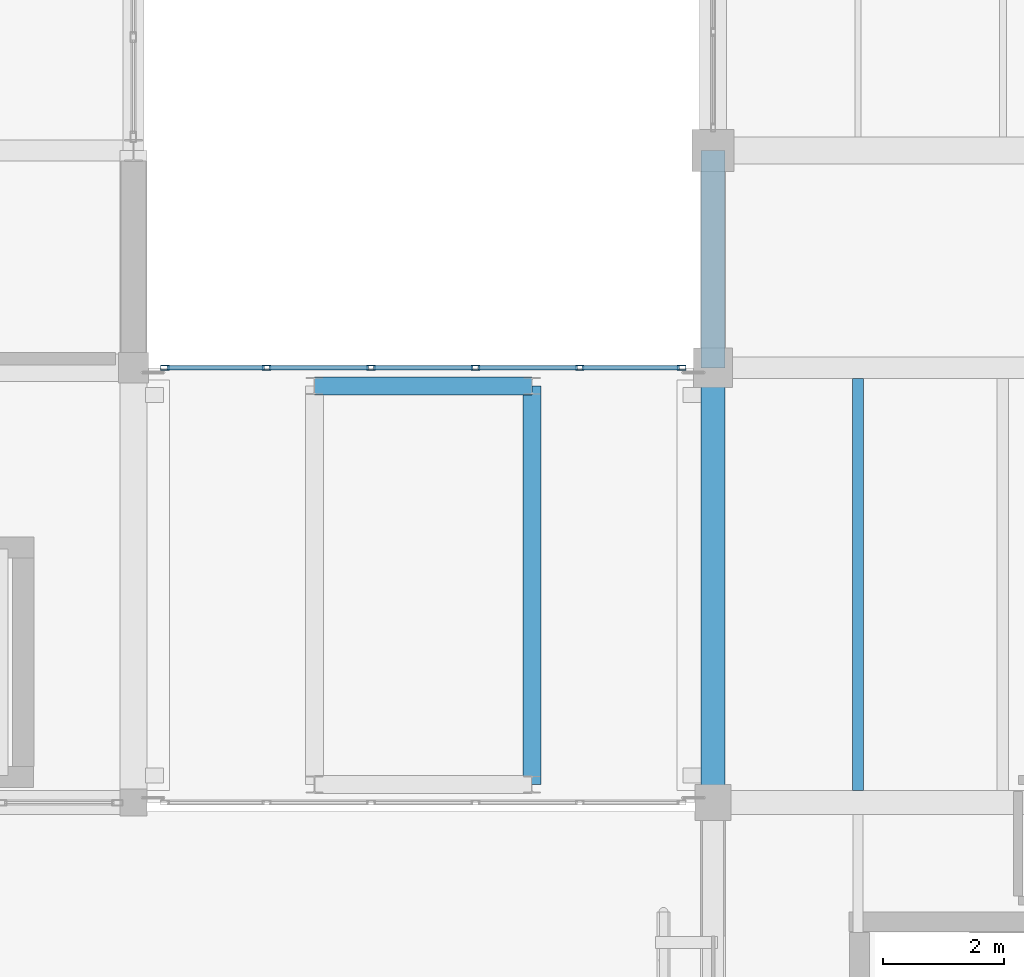
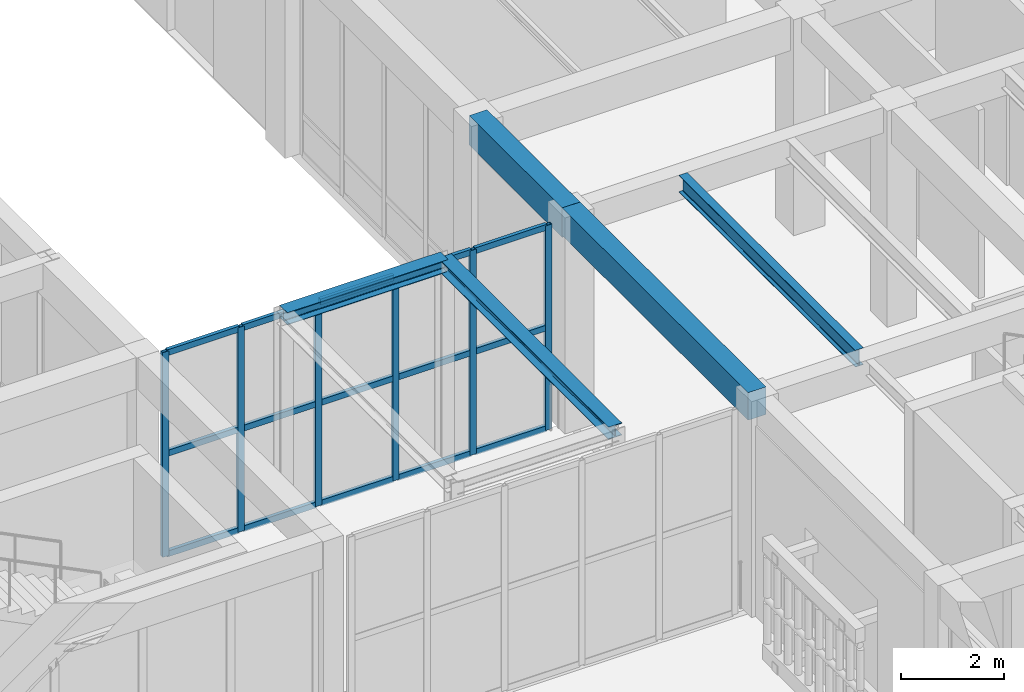
# One storey, part 78 of 169: 21 members, 5 beams, 1 element without a shape of its own.
"""IFC4 building model written with IfcOpenShell, lengths in metres."""

from ifc_helpers import new_model, si_unit, direction, frame, origin, origin_2d, place, context, subcontext, project, spatial, rectangle, hollow_rectangle, i_section, extrude, material, layer, layer_set, material_profile, profile_set, type_object, element, aggregate, save


model = new_model("IFC4")

# Units and contexts
model_context = context("Model", 3, precision=1e-05, world=origin(), true_north=direction((0.0, 1.0)))
body_context = subcontext(model_context, "Body", "Model", "MODEL_VIEW")
ifc_project = project(units=[si_unit("LENGTHUNIT", "METRE"), si_unit("AREAUNIT", "SQUARE_METRE"), si_unit("VOLUMEUNIT", "CUBIC_METRE"), si_unit("PLANEANGLEUNIT", "RADIAN"), si_unit("MASSUNIT", "GRAM", prefix="KILO")], contexts=[model_context])

# Site, building, storey
site_placement = place(None, origin())
site = spatial("IfcSite", under=ifc_project, at=site_placement, CompositionType="ELEMENT")
building_placement = place(site_placement, origin())
building = spatial("IfcBuilding", under=site, at=building_placement, Name="Mazaris Harbour Polytechnic", CompositionType="ELEMENT")
storey_placement = place(building_placement, origin())
storey = spatial("IfcBuildingStorey", under=building, at=storey_placement, Name="L00", CompositionType="ELEMENT", Elevation=0.0)

# Curtain wall, members
ifc_material_1 = material(Name="Anodised Bronze Aluminium and Low-E Glass", Category="aluminium")
ifc_layer = layer(ifc_material_1, 0.139892578125, Name="Anodised Bronze Aluminium and Low-E Glass")
ifc_layer_set = layer_set([ifc_layer], Name="Anodised Bronze Aluminium and Low-E Glass")
curtain_wall_type = type_object("IfcCurtainWallType", Name="Seismic Link Bridge Glazing", PredefinedType="NOTDEFINED", material=ifc_layer_set)
curtain_wall_placement = place(storey_placement, origin())
curtain_wall = element("IfcCurtainWall", 1, at=curtain_wall_placement, inside=storey, type_object=curtain_wall_type, Name="PB-E2 L00 Bridge Glazing", PredefinedType="NOTDEFINED")
ifc_material_2 = material(Name="Anodised Bronze Steel S355", Category="steel")
ifc_material_profile_1 = material_profile(ifc_material_2, hollow_rectangle(XDim=0.080078125, YDim=0.139892578125, WallThickness=0.00634765625, at=origin_2d()), Name="RHS 80x140x6.3")
ifc_profile_set_1 = profile_set([ifc_material_profile_1], Name="Anodised Bronze Steel S355")
member_type_1 = type_object("IfcMemberType", Name="Curtain Mullion RHS80x140", PredefinedType="MULLION", material=ifc_profile_set_1)
member_1_placement = place(storey_placement, frame((121.8798828125, 82.800048828125, 0.0), z_axis=(0.0, 0.0, 1.0), x_axis=(0.0, -1.0, 0.0)))
member_1 = element("IfcMember", 2, at=member_1_placement, type_object=member_type_1, Name="CW-05 mullion 1", PredefinedType="MULLION", context=body_context, shape_type="SweptSolid", body=[
    extrude(hollow_rectangle(XDim=0.080078125, YDim=0.139892578125, WallThickness=0.00634765625, at=origin_2d()), origin(), (0.0, 0.0, 1.0), 4.8349609375),
])
member_2_placement = place(storey_placement, frame((120.19189453125, 82.800048828125, 0.0), z_axis=(0.0, 0.0, 1.0), x_axis=(0.0, -1.0, 0.0)))
member_2 = element("IfcMember", 3, at=member_2_placement, type_object=member_type_1, Name="CW-05 mullion 2", PredefinedType="MULLION", context=body_context, shape_type="SweptSolid", body=[
    extrude(hollow_rectangle(XDim=0.080078125, YDim=0.139892578125, WallThickness=0.00634765625, at=origin_2d()), origin(), (0.0, 0.0, 1.0), 4.8349609375),
])
member_3_placement = place(storey_placement, frame((118.464111328125, 82.800048828125, 0.0), z_axis=(0.0, 0.0, 1.0), x_axis=(0.0, -1.0, 0.0)))
member_3 = element("IfcMember", 4, at=member_3_placement, type_object=member_type_1, Name="CW-05 mullion 3", PredefinedType="MULLION", context=body_context, shape_type="SweptSolid", body=[
    extrude(hollow_rectangle(XDim=0.080078125, YDim=0.139892578125, WallThickness=0.00634765625, at=origin_2d()), origin(), (0.0, 0.0, 1.0), 4.8349609375),
])
member_4_placement = place(storey_placement, frame((116.736083984375, 82.800048828125, 0.0), z_axis=(0.0, 0.0, 1.0), x_axis=(0.0, -1.0, 0.0)))
member_4 = element("IfcMember", 5, at=member_4_placement, type_object=member_type_1, Name="CW-05 mullion 4", PredefinedType="MULLION", context=body_context, shape_type="SweptSolid", body=[
    extrude(hollow_rectangle(XDim=0.080078125, YDim=0.139892578125, WallThickness=0.00634765625, at=origin_2d()), origin(), (0.0, 0.0, 1.0), 4.8349609375),
])
member_5_placement = place(storey_placement, frame((115.008056640625, 82.800048828125, 0.0), z_axis=(0.0, 0.0, 1.0), x_axis=(0.0, -1.0, 0.0)))
member_5 = element("IfcMember", 6, at=member_5_placement, type_object=member_type_1, Name="CW-05 mullion 5", PredefinedType="MULLION", context=body_context, shape_type="SweptSolid", body=[
    extrude(hollow_rectangle(XDim=0.080078125, YDim=0.139892578125, WallThickness=0.00634765625, at=origin_2d()), origin(), (0.0, 0.0, 1.0), 4.8349609375),
])
member_6_placement = place(storey_placement, frame((113.320068359375, 82.800048828125, 0.0), z_axis=(0.0, 0.0, 1.0), x_axis=(0.0, -1.0, 0.0)))
member_6 = element("IfcMember", 7, at=member_6_placement, type_object=member_type_1, Name="CW-05 mullion 6", PredefinedType="MULLION", context=body_context, shape_type="SweptSolid", body=[
    extrude(hollow_rectangle(XDim=0.080078125, YDim=0.139892578125, WallThickness=0.00634765625, at=origin_2d()), origin(), (0.0, 0.0, 1.0), 4.8349609375),
])
ifc_material_3 = material(Name="Anodised Bronze Steel S355", Category="steel")
ifc_material_profile_2 = material_profile(ifc_material_3, hollow_rectangle(XDim=0.080078125, YDim=0.139892578125, WallThickness=0.00634765625, at=origin_2d()), Name="RHS 80x140x6.3")
ifc_profile_set_2 = profile_set([ifc_material_profile_2], Name="Anodised Bronze Steel S355")
member_type_2 = type_object("IfcMemberType", Name="Curtain Transom RHS80x140", PredefinedType="USERDEFINED", material=ifc_profile_set_2)
member_7_placement = place(storey_placement, frame((121.840087890625, 82.800048828125, 0.0400390625), z_axis=(-1.0, 0.0, 0.0), x_axis=(0.0, -1.0, 0.0)))
member_7 = element("IfcMember", 8, at=member_7_placement, type_object=member_type_2, Name="CW-05 transom 1.1", ObjectType="TRANSOM", PredefinedType="USERDEFINED", context=body_context, shape_type="SweptSolid", body=[
    extrude(hollow_rectangle(XDim=0.080078125, YDim=0.139892578125, WallThickness=0.00634765625, at=origin_2d()), origin(), (0.0, 0.0, 1.0), 1.608154296875),
])
member_8_placement = place(storey_placement, frame((121.840087890625, 82.800048828125, 2.41748046875), z_axis=(-1.0, 0.0, 0.0), x_axis=(0.0, -1.0, 0.0)))
member_8 = element("IfcMember", 9, at=member_8_placement, type_object=member_type_2, Name="CW-05 transom 1.2", ObjectType="TRANSOM", PredefinedType="USERDEFINED", context=body_context, shape_type="SweptSolid", body=[
    extrude(hollow_rectangle(XDim=0.080078125, YDim=0.139892578125, WallThickness=0.00634765625, at=origin_2d()), origin(), (0.0, 0.0, 1.0), 1.608154296875),
])
member_9_placement = place(storey_placement, frame((121.840087890625, 82.800048828125, 4.794921875), z_axis=(-1.0, 0.0, 0.0), x_axis=(0.0, -1.0, 0.0)))
member_9 = element("IfcMember", 10, at=member_9_placement, type_object=member_type_2, Name="CW-05 transom 1.3", ObjectType="TRANSOM", PredefinedType="USERDEFINED", context=body_context, shape_type="SweptSolid", body=[
    extrude(hollow_rectangle(XDim=0.080078125, YDim=0.139892578125, WallThickness=0.00634765625, at=origin_2d()), origin(), (0.0, 0.0, 1.0), 1.608154296875),
])
member_10_placement = place(storey_placement, frame((120.152099609375, 82.800048828125, 0.0400390625), z_axis=(-1.0, 0.0, 0.0), x_axis=(0.0, -1.0, 0.0)))
member_10 = element("IfcMember", 11, at=member_10_placement, type_object=member_type_2, Name="CW-05 transom 2.1", ObjectType="TRANSOM", PredefinedType="USERDEFINED", context=body_context, shape_type="SweptSolid", body=[
    extrude(hollow_rectangle(XDim=0.080078125, YDim=0.139892578125, WallThickness=0.00634765625, at=origin_2d()), origin(), (0.0, 0.0, 1.0), 1.648193359375),
])
member_11_placement = place(storey_placement, frame((120.152099609375, 82.800048828125, 2.41748046875), z_axis=(-1.0, 0.0, 0.0), x_axis=(0.0, -1.0, 0.0)))
member_11 = element("IfcMember", 12, at=member_11_placement, type_object=member_type_2, Name="CW-05 transom 2.2", ObjectType="TRANSOM", PredefinedType="USERDEFINED", context=body_context, shape_type="SweptSolid", body=[
    extrude(hollow_rectangle(XDim=0.080078125, YDim=0.139892578125, WallThickness=0.00634765625, at=origin_2d()), origin(), (0.0, 0.0, 1.0), 1.648193359375),
])
member_12_placement = place(storey_placement, frame((120.152099609375, 82.800048828125, 4.794921875), z_axis=(-1.0, 0.0, 0.0), x_axis=(0.0, -1.0, 0.0)))
member_12 = element("IfcMember", 13, at=member_12_placement, type_object=member_type_2, Name="CW-05 transom 2.3", ObjectType="TRANSOM", PredefinedType="USERDEFINED", context=body_context, shape_type="SweptSolid", body=[
    extrude(hollow_rectangle(XDim=0.080078125, YDim=0.139892578125, WallThickness=0.00634765625, at=origin_2d()), origin(), (0.0, 0.0, 1.0), 1.648193359375),
])
member_13_placement = place(storey_placement, frame((118.424072265625, 82.800048828125, 0.0400390625), z_axis=(-1.0, 0.0, 0.0), x_axis=(0.0, -1.0, 0.0)))
member_13 = element("IfcMember", 14, at=member_13_placement, type_object=member_type_2, Name="CW-05 transom 3.1", ObjectType="TRANSOM", PredefinedType="USERDEFINED", context=body_context, shape_type="SweptSolid", body=[
    extrude(hollow_rectangle(XDim=0.080078125, YDim=0.139892578125, WallThickness=0.00634765625, at=origin_2d()), origin(), (0.0, 0.0, 1.0), 1.648193359375),
])
member_14_placement = place(storey_placement, frame((118.424072265625, 82.800048828125, 2.41748046875), z_axis=(-1.0, 0.0, 0.0), x_axis=(0.0, -1.0, 0.0)))
member_14 = element("IfcMember", 15, at=member_14_placement, type_object=member_type_2, Name="CW-05 transom 3.2", ObjectType="TRANSOM", PredefinedType="USERDEFINED", context=body_context, shape_type="SweptSolid", body=[
    extrude(hollow_rectangle(XDim=0.080078125, YDim=0.139892578125, WallThickness=0.00634765625, at=origin_2d()), origin(), (0.0, 0.0, 1.0), 1.648193359375),
])
member_15_placement = place(storey_placement, frame((118.424072265625, 82.800048828125, 4.794921875), z_axis=(-1.0, 0.0, 0.0), x_axis=(0.0, -1.0, 0.0)))
member_15 = element("IfcMember", 16, at=member_15_placement, type_object=member_type_2, Name="CW-05 transom 3.3", ObjectType="TRANSOM", PredefinedType="USERDEFINED", context=body_context, shape_type="SweptSolid", body=[
    extrude(hollow_rectangle(XDim=0.080078125, YDim=0.139892578125, WallThickness=0.00634765625, at=origin_2d()), origin(), (0.0, 0.0, 1.0), 1.648193359375),
])
member_16_placement = place(storey_placement, frame((116.696044921875, 82.800048828125, 0.0400390625), z_axis=(-1.0, 0.0, 0.0), x_axis=(0.0, -1.0, 0.0)))
member_16 = element("IfcMember", 17, at=member_16_placement, type_object=member_type_2, Name="CW-05 transom 4.1", ObjectType="TRANSOM", PredefinedType="USERDEFINED", context=body_context, shape_type="SweptSolid", body=[
    extrude(hollow_rectangle(XDim=0.080078125, YDim=0.139892578125, WallThickness=0.00634765625, at=origin_2d()), origin(), (0.0, 0.0, 1.0), 1.64794921875),
])
member_17_placement = place(storey_placement, frame((116.696044921875, 82.800048828125, 2.41748046875), z_axis=(-1.0, 0.0, 0.0), x_axis=(0.0, -1.0, 0.0)))
member_17 = element("IfcMember", 18, at=member_17_placement, type_object=member_type_2, Name="CW-05 transom 4.2", ObjectType="TRANSOM", PredefinedType="USERDEFINED", context=body_context, shape_type="SweptSolid", body=[
    extrude(hollow_rectangle(XDim=0.080078125, YDim=0.139892578125, WallThickness=0.00634765625, at=origin_2d()), origin(), (0.0, 0.0, 1.0), 1.64794921875),
])
member_18_placement = place(storey_placement, frame((116.696044921875, 82.800048828125, 4.794921875), z_axis=(-1.0, 0.0, 0.0), x_axis=(0.0, -1.0, 0.0)))
member_18 = element("IfcMember", 19, at=member_18_placement, type_object=member_type_2, Name="CW-05 transom 4.3", ObjectType="TRANSOM", PredefinedType="USERDEFINED", context=body_context, shape_type="SweptSolid", body=[
    extrude(hollow_rectangle(XDim=0.080078125, YDim=0.139892578125, WallThickness=0.00634765625, at=origin_2d()), origin(), (0.0, 0.0, 1.0), 1.64794921875),
])
member_19_placement = place(storey_placement, frame((114.968017578125, 82.800048828125, 0.0400390625), z_axis=(-1.0, 0.0, 0.0), x_axis=(0.0, -1.0, 0.0)))
member_19 = element("IfcMember", 20, at=member_19_placement, type_object=member_type_2, Name="CW-05 transom 5.1", ObjectType="TRANSOM", PredefinedType="USERDEFINED", context=body_context, shape_type="SweptSolid", body=[
    extrude(hollow_rectangle(XDim=0.080078125, YDim=0.139892578125, WallThickness=0.00634765625, at=origin_2d()), origin(), (0.0, 0.0, 1.0), 1.60791015625),
])
member_20_placement = place(storey_placement, frame((114.968017578125, 82.800048828125, 2.41748046875), z_axis=(-1.0, 0.0, 0.0), x_axis=(0.0, -1.0, 0.0)))
member_20 = element("IfcMember", 21, at=member_20_placement, type_object=member_type_2, Name="CW-05 transom 5.2", ObjectType="TRANSOM", PredefinedType="USERDEFINED", context=body_context, shape_type="SweptSolid", body=[
    extrude(hollow_rectangle(XDim=0.080078125, YDim=0.139892578125, WallThickness=0.00634765625, at=origin_2d()), origin(), (0.0, 0.0, 1.0), 1.60791015625),
])
member_21_placement = place(storey_placement, frame((114.968017578125, 82.800048828125, 4.794921875), z_axis=(-1.0, 0.0, 0.0), x_axis=(0.0, -1.0, 0.0)))
member_21 = element("IfcMember", 22, at=member_21_placement, type_object=member_type_2, Name="CW-05 transom 5.3", ObjectType="TRANSOM", PredefinedType="USERDEFINED", context=body_context, shape_type="SweptSolid", body=[
    extrude(hollow_rectangle(XDim=0.080078125, YDim=0.139892578125, WallThickness=0.00634765625, at=origin_2d()), origin(), (0.0, 0.0, 1.0), 1.60791015625),
])
aggregate(curtain_wall, [member_1, member_2, member_3, member_4, member_5, member_6, member_7, member_8, member_9, member_10, member_11, member_12, member_13, member_14, member_15, member_16, member_17, member_18, member_19, member_20, member_21])

# Beams
ifc_material_4 = material(Name="Concrete C35/45", Category="concrete")
ifc_material_profile_3 = material_profile(ifc_material_4, rectangle(XDim=0.39990234375, YDim=0.64990234375, at=origin_2d()), Name="RECT400x650")
ifc_profile_set_3 = profile_set([ifc_material_profile_3], Name="Concrete C35/45")
beam_type_1 = type_object("IfcBeamType", Name="RC Girder 400x650 Exterior", PredefinedType="BEAM", material=ifc_profile_set_3)
beam_1_placement = place(storey_placement, frame((122.39990234375, 75.60009765625, 4.77490234375), z_axis=(0.0, 1.0, 0.0), x_axis=(-1.0, 0.0, 0.0)))
element("IfcBeam", 23, at=beam_1_placement, inside=storey, type_object=beam_type_1, Name="V5 L00 Tie Girder 2761", PredefinedType="BEAM", context=body_context, shape_type="SweptSolid", body=[
    extrude(rectangle(XDim=0.39990234375, YDim=0.64990234375, at=origin_2d()), origin(), (0.0, 0.0, 1.0), 7.199951171875),
])
ifc_material_5 = material(Name="Concrete C35/45", Category="concrete")
ifc_material_profile_4 = material_profile(ifc_material_5, rectangle(XDim=0.39990234375, YDim=0.699951171875, at=origin_2d()), Name="RECT400x700")
ifc_profile_set_4 = profile_set([ifc_material_profile_4], Name="Concrete C35/45")
beam_type_2 = type_object("IfcBeamType", Name="RC Girder 400x700 Exterior", PredefinedType="BEAM", material=ifc_profile_set_4)
beam_2_placement = place(storey_placement, frame((122.39990234375, 82.800048828125, 4.75), z_axis=(0.0, 1.0, 0.0), x_axis=(-1.0, 0.0, 0.0)))
element("IfcBeam", 24, at=beam_2_placement, inside=storey, type_object=beam_type_2, Name="V5 L00 Tie Girder 2762", PredefinedType="BEAM", context=body_context, shape_type="SweptSolid", body=[
    extrude(rectangle(XDim=0.39990234375, YDim=0.699951171875, at=origin_2d()), origin(), (0.0, 0.0, 1.0), 3.599853515625),
])
ifc_material_6 = material(Name="Steel S355", Category="steel")
ifc_material_profile_5 = material_profile(ifc_material_6, i_section(OverallWidth=0.300048828125, OverallDepth=0.2900390625, WebThickness=0.008544921875, FlangeThickness=0.013916015625, FilletRadius=0.027099609375, at=origin_2d()), Name="HEA 300")
ifc_profile_set_5 = profile_set([ifc_material_profile_5], Name="Steel S355")
beam_type_3 = type_object("IfcBeamType", Name="Steel Beam HEA300 Exterior", PredefinedType="SPANDREL", material=ifc_profile_set_5)
beam_3_placement = place(storey_placement, frame((119.39990234375, 75.89990234375, 4.989990234375), z_axis=(0.0, 1.0, 0.0), x_axis=(-1.0, 0.0, 0.0)))
element("IfcBeam", 25, at=beam_3_placement, inside=storey, type_object=beam_type_3, Name="PB-E2 L00 Bridge Beam 3461", PredefinedType="SPANDREL", context=body_context, shape_type="SweptSolid", body=[
    extrude(i_section(OverallWidth=0.300048828125, OverallDepth=0.2900390625, WebThickness=0.008544921875, FlangeThickness=0.013916015625, FilletRadius=0.027099609375, at=origin_2d()), origin(), (0.0, 0.0, 1.0), 6.60009765625),
])
beam_4_placement = place(storey_placement, frame((115.800048828125, 82.5, 4.989990234375), z_axis=(1.0, 0.0, 0.0), x_axis=(0.0, 1.0, 0.0)))
element("IfcBeam", 26, at=beam_4_placement, inside=storey, type_object=beam_type_3, Name="PB-E2 L00 Bridge Beam 3462", PredefinedType="SPANDREL", context=body_context, shape_type="SweptSolid", body=[
    extrude(i_section(OverallWidth=0.300048828125, OverallDepth=0.2900390625, WebThickness=0.008544921875, FlangeThickness=0.013916015625, FilletRadius=0.027099609375, at=origin_2d()), origin(), (0.0, 0.0, 1.0), 3.599853515625),
])
ifc_material_7 = material(Name="Steel S355", Category="steel")
ifc_material_profile_6 = material_profile(ifc_material_7, i_section(OverallWidth=0.179931640625, OverallDepth=0.39990234375, WebThickness=0.008544921875, FlangeThickness=0.013427734375, FilletRadius=0.02099609375, at=origin_2d()), Name="IPE 400")
ifc_profile_set_6 = profile_set([ifc_material_profile_6], Name="Steel S355")
beam_type_4 = type_object("IfcBeamType", Name="Steel Joist IPE400", PredefinedType="JOIST", material=ifc_profile_set_6)
beam_5_placement = place(storey_placement, frame((124.800048828125, 75.800048828125, 4.89990234375), z_axis=(0.0, 1.0, 0.0), x_axis=(-1.0, 0.0, 0.0)))
element("IfcBeam", 27, at=beam_5_placement, inside=storey, type_object=beam_type_4, Name="V5 L00 Floor Joist 2826", PredefinedType="JOIST", context=body_context, shape_type="SweptSolid", body=[
    extrude(i_section(OverallWidth=0.179931640625, OverallDepth=0.39990234375, WebThickness=0.008544921875, FlangeThickness=0.013427734375, FilletRadius=0.02099609375, at=origin_2d()), origin(), (0.0, 0.0, 1.0), 6.824951171875),
])

save(model, "model.ifc")
